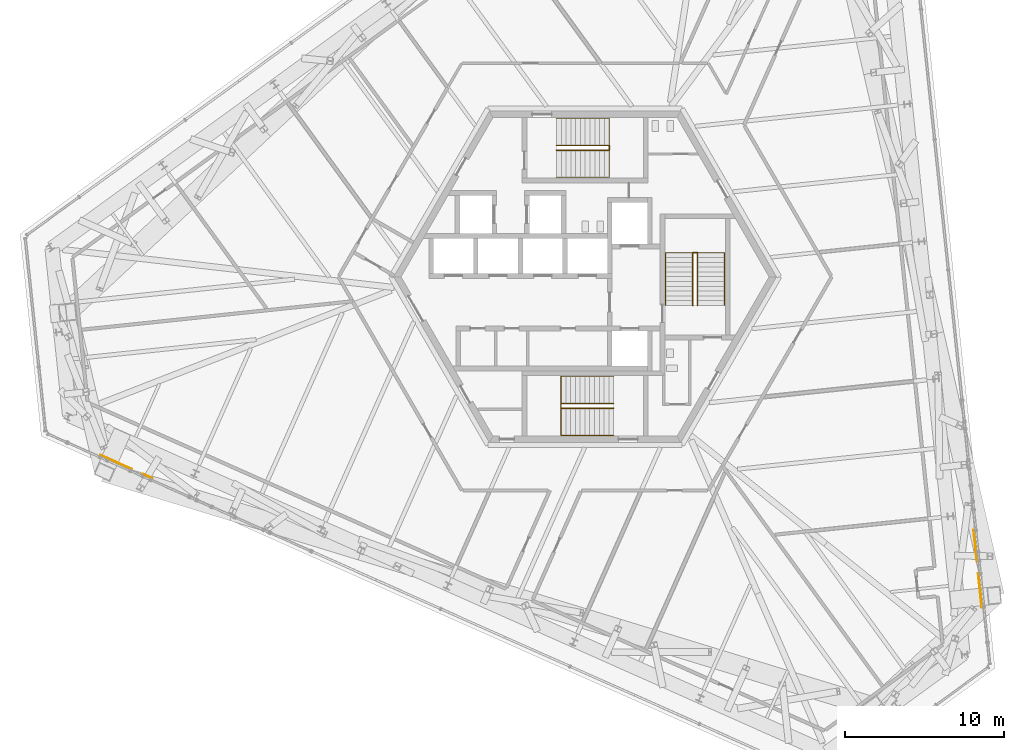
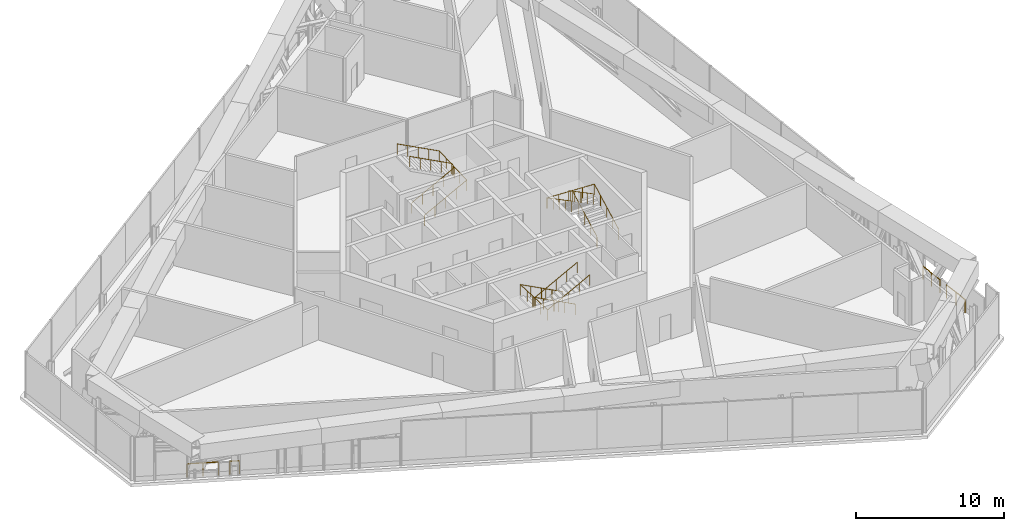
# One storey, part 28 of 30: 10 railings.
"""IFC4 building model written with IfcOpenShell, lengths in metres."""

from ifc_helpers import new_model, si_unit, direction, frame, origin, origin_2d, place, context, subcontext, project, spatial, circle, extrude, source, transform, mapped, material, type_object, element, save


model = new_model("IFC4")

# Units and contexts
model_context = context("Model", 3, precision=1e-05, world=origin(), true_north=direction((0.0, 1.0)))
body_context = subcontext(model_context, "Body", "Model", "MODEL_VIEW")
ifc_project = project(units=[si_unit("LENGTHUNIT", "METRE"), si_unit("AREAUNIT", "SQUARE_METRE"), si_unit("VOLUMEUNIT", "CUBIC_METRE"), si_unit("PLANEANGLEUNIT", "RADIAN"), si_unit("MASSUNIT", "GRAM", prefix="KILO")], contexts=[model_context])

# Site, building, storey
site_placement = place(None, origin())
site = spatial("IfcSite", under=ifc_project, at=site_placement, CompositionType="ELEMENT")
building_placement = place(site_placement, origin())
building = spatial("IfcBuilding", under=site, at=building_placement, Name="Triune Harvest Tower", CompositionType="ELEMENT")
storey_placement = place(building_placement, frame((0.0, 0.0, 94.5)))
storey = spatial("IfcBuildingStorey", under=building, at=storey_placement, Name="L23", CompositionType="ELEMENT", Elevation=94.5)

# Railings
ifc_material_1 = material(Name="Glass", Category="glass")
railing_type_1 = type_object("IfcRailingType", Name="GD-3 facade guard 1100", PredefinedType="GUARDRAIL", material=ifc_material_1)
railing_1_placement = place(storey_placement, frame((24.875732421875, -20.719482421875, 0.0)))
element("IfcRailing", 1, at=railing_1_placement, inside=storey, type_object=railing_type_1, Name="Facade guard B2-F1 L23.1.1", PredefinedType="GUARDRAIL", context=body_context, shape_type="SweptSolid", body=[
    extrude(circle(Radius=0.02392578125, at=origin_2d()), frame((0.0, 0.0, 1.076171875), z_axis=(-0.104524229431, 0.994522340353, 0.0), x_axis=(-0.994522340353, -0.104524229431, 0.0)), (0.0, 0.0, 1.0), 2.13720703125),
    extrude(circle(Radius=0.02099609375, at=origin_2d()), origin(), (0.0, 0.0, 1.0), 1.052001953125),
    extrude(circle(Radius=0.02099609375, at=origin_2d()), frame((-0.11181640625, 1.062744140625, 0.0)), (0.0, 0.0, 1.0), 1.052001953125),
    extrude(circle(Radius=0.02099609375, at=origin_2d()), frame((-0.223388671875, 2.12548828125, 0.0)), (0.0, 0.0, 1.0), 1.052001953125),
])
railing_2_placement = place(storey_placement, frame((24.5732421875, -17.8408203125, 0.0)))
element("IfcRailing", 2, at=railing_2_placement, inside=storey, type_object=railing_type_1, Name="Facade guard B2-F1 L23.1.2", PredefinedType="GUARDRAIL", context=body_context, shape_type="SweptSolid", body=[
    extrude(circle(Radius=0.02392578125, at=origin_2d()), frame((0.0, 0.0, 1.076171875), z_axis=(-0.104510539239, 0.994523779096, 0.0), x_axis=(-0.994523779096, -0.104510539239, 0.0)), (0.0, 0.0, 1.0), 1.96923828125),
    extrude(circle(Radius=0.02099609375, at=origin_2d()), origin(), (0.0, 0.0, 1.0), 1.052001953125),
    extrude(circle(Radius=0.02099609375, at=origin_2d()), frame((-0.10302734375, 0.979248046875, 0.0)), (0.0, 0.0, 1.0), 1.052001953125),
    extrude(circle(Radius=0.02099609375, at=origin_2d()), frame((-0.205810546875, 1.95849609375, 0.0)), (0.0, 0.0, 1.0), 1.052001953125),
])
railing_3_placement = place(storey_placement, frame((-30.381591796875, -11.183349609375, 0.0)))
element("IfcRailing", 3, at=railing_3_placement, inside=storey, type_object=railing_type_1, Name="Facade guard B2-F5 L23.1.1", PredefinedType="GUARDRAIL", context=body_context, shape_type="SweptSolid", body=[
    extrude(circle(Radius=0.02392578125, at=origin_2d()), frame((0.0, 0.0, 1.076171875), z_axis=(0.913566417064, -0.40668956418, 0.0), x_axis=(0.40668956418, 0.913566417064, 0.0)), (0.0, 0.0, 1.0), 2.13720703125),
    extrude(circle(Radius=0.02099609375, at=origin_2d()), origin(), (0.0, 0.0, 1.0), 1.052001953125),
    extrude(circle(Radius=0.02099609375, at=origin_2d()), frame((0.97607421875, -0.4345703125, 0.0)), (0.0, 0.0, 1.0), 1.052001953125),
    extrude(circle(Radius=0.02099609375, at=origin_2d()), frame((1.952392578125, -0.869140625, 0.0)), (0.0, 0.0, 1.0), 1.052001953125),
])
railing_4_placement = place(storey_placement, frame((-27.7373046875, -12.360595703125, 0.0)))
element("IfcRailing", 4, at=railing_4_placement, inside=storey, type_object=railing_type_1, Name="Facade guard B2-F5 L23.1.2", PredefinedType="GUARDRAIL", context=body_context, shape_type="SweptSolid", body=[
    extrude(circle(Radius=0.02392578125, at=origin_2d()), frame((0.0, 0.0, 1.076171875), z_axis=(0.913502892034, -0.406832233538, 0.0), x_axis=(0.406832233538, 0.913502892034, 0.0)), (0.0, 0.0, 1.0), 0.65283203125),
    extrude(circle(Radius=0.02099609375, at=origin_2d()), origin(), (0.0, 0.0, 1.0), 1.052001953125),
    extrude(circle(Radius=0.02099609375, at=origin_2d()), frame((0.596435546875, -0.265625, 0.0)), (0.0, 0.0, 1.0), 1.052001953125),
])
ifc_material_2 = material(Name="Stainless steel AISI 316", Category="steel")
railing_type_2 = type_object("IfcRailingType", Name="Stair handrail", PredefinedType="HANDRAIL", material=ifc_material_2)
shared_shape_1 = source(origin(), body_context, "Body", "SweptSolid", [
    extrude(circle(Radius=0.02392578125, at=origin_2d()), frame((0.0, 0.0, 0.8759765625), z_axis=(0.884384002621, 0.0, 0.466760041037), x_axis=(0.0, 1.0, 0.0)), (0.0, 0.0, 1.0), 3.7314453125),
    extrude(circle(Radius=0.02392578125, at=origin_2d()), frame((3.300048828125, 0.0, 2.61767578125), z_axis=(0.0, 0.999084305352, 0.0427849366), x_axis=(-1.0, 0.0, 0.0)), (0.0, 0.0, 1.0), 3.703369140625),
    extrude(circle(Radius=0.02392578125, at=origin_2d()), frame((3.300048828125, 3.699951171875, 2.77587890625), z_axis=(-0.884384002621, 0.0, 0.466760041037), x_axis=(0.0, -1.0, 0.0)), (0.0, 0.0, 1.0), 3.7314453125),
    extrude(circle(Radius=0.02099609375, at=origin_2d()), origin(), (0.0, 0.0, 1.0), 0.851806640625),
    extrude(circle(Radius=0.02099609375, at=origin_2d()), frame((0.824951171875, 0.0, 0.435546875)), (0.0, 0.0, 1.0), 0.851806640625),
    extrude(circle(Radius=0.02099609375, at=origin_2d()), frame((1.64990234375, 0.0, 0.870849609375)), (0.0, 0.0, 1.0), 0.851806640625),
    extrude(circle(Radius=0.02099609375, at=origin_2d()), frame((2.47509765625, 0.0, 1.30615234375)), (0.0, 0.0, 1.0), 0.851806640625),
    extrude(circle(Radius=0.02099609375, at=origin_2d()), frame((3.300048828125, 0.0, 1.74169921875)), (0.0, 0.0, 1.0), 0.851806640625),
    extrude(circle(Radius=0.02099609375, at=origin_2d()), frame((3.300048828125, 0.925048828125, 1.78125)), (0.0, 0.0, 1.0), 0.851806640625),
    extrude(circle(Radius=0.02099609375, at=origin_2d()), frame((3.300048828125, 1.85009765625, 1.82080078125)), (0.0, 0.0, 1.0), 0.851806640625),
    extrude(circle(Radius=0.02099609375, at=origin_2d()), frame((3.300048828125, 2.77490234375, 1.860595703125)), (0.0, 0.0, 1.0), 0.851806640625),
    extrude(circle(Radius=0.02099609375, at=origin_2d()), frame((3.300048828125, 3.699951171875, 1.900146484375)), (0.0, 0.0, 1.0), 0.851806640625),
    extrude(circle(Radius=0.02099609375, at=origin_2d()), frame((2.47509765625, 3.699951171875, 2.33544921875)), (0.0, 0.0, 1.0), 0.851806640625),
    extrude(circle(Radius=0.02099609375, at=origin_2d()), frame((1.64990234375, 3.699951171875, 2.77099609375)), (0.0, 0.0, 1.0), 0.851806640625),
    extrude(circle(Radius=0.02099609375, at=origin_2d()), frame((0.824951171875, 3.699951171875, 3.20654296875)), (0.0, 0.0, 1.0), 0.851806640625),
    extrude(circle(Radius=0.02099609375, at=origin_2d()), frame((0.0, 3.699951171875, 3.641845703125)), (0.0, 0.0, 1.0), 0.851806640625),
])
railing_5_placement = place(storey_placement, frame((-1.7900390625, 6.239990234375, 0.158203125)))
element("IfcRailing", 5, at=railing_5_placement, inside=storey, type_object=railing_type_2, Name="Exit stair north wall handrail", PredefinedType="HANDRAIL", context=body_context, shape_type="MappedRepresentation", body=[
    mapped(shared_shape_1, transform((0.0, 0.0, 0.0), scale=1.0)),
])
shared_shape_2 = source(origin(), body_context, "Body", "SweptSolid", [
    extrude(circle(Radius=0.02392578125, at=origin_2d()), frame((0.0, 0.0, 0.8759765625), z_axis=(0.884384002621, 0.0, 0.466760041037), x_axis=(0.0, 1.0, 0.0)), (0.0, 0.0, 1.0), 3.7314453125),
    extrude(circle(Radius=0.02392578125, at=origin_2d()), frame((3.300048828125, 0.0, 2.61767578125), z_axis=(0.0, 0.884277476085, 0.46696182423), x_axis=(-1.0, 0.0, 0.0)), (0.0, 0.0, 1.0), 0.33935546875),
    extrude(circle(Radius=0.02392578125, at=origin_2d()), frame((3.300048828125, 0.300048828125, 2.77587890625), z_axis=(-0.884384002621, 0.0, 0.466760041037), x_axis=(0.0, -1.0, 0.0)), (0.0, 0.0, 1.0), 3.7314453125),
    extrude(circle(Radius=0.02099609375, at=origin_2d()), origin(), (0.0, 0.0, 1.0), 0.851806640625),
    extrude(circle(Radius=0.02099609375, at=origin_2d()), frame((0.824951171875, 0.0, 0.435546875)), (0.0, 0.0, 1.0), 0.851806640625),
    extrude(circle(Radius=0.02099609375, at=origin_2d()), frame((1.64990234375, 0.0, 0.870849609375)), (0.0, 0.0, 1.0), 0.851806640625),
    extrude(circle(Radius=0.02099609375, at=origin_2d()), frame((2.47509765625, 0.0, 1.30615234375)), (0.0, 0.0, 1.0), 0.851806640625),
    extrude(circle(Radius=0.02099609375, at=origin_2d()), frame((3.300048828125, 0.0, 1.74169921875)), (0.0, 0.0, 1.0), 0.851806640625),
    extrude(circle(Radius=0.02099609375, at=origin_2d()), frame((3.300048828125, 0.300048828125, 1.900146484375)), (0.0, 0.0, 1.0), 0.851806640625),
    extrude(circle(Radius=0.02099609375, at=origin_2d()), frame((2.47509765625, 0.300048828125, 2.33544921875)), (0.0, 0.0, 1.0), 0.851806640625),
    extrude(circle(Radius=0.02099609375, at=origin_2d()), frame((1.64990234375, 0.300048828125, 2.77099609375)), (0.0, 0.0, 1.0), 0.851806640625),
    extrude(circle(Radius=0.02099609375, at=origin_2d()), frame((0.824951171875, 0.300048828125, 3.20654296875)), (0.0, 0.0, 1.0), 0.851806640625),
    extrude(circle(Radius=0.02099609375, at=origin_2d()), frame((0.0, 0.300048828125, 3.641845703125)), (0.0, 0.0, 1.0), 0.851806640625),
])
railing_6_placement = place(storey_placement, frame((-1.7900390625, 7.93994140625, 0.158203125)))
element("IfcRailing", 6, at=railing_6_placement, inside=storey, type_object=railing_type_2, Name="Exit stair north centre handrail", PredefinedType="HANDRAIL", context=body_context, shape_type="MappedRepresentation", body=[
    mapped(shared_shape_2, transform((0.0, 0.0, 0.0), scale=1.0)),
])
shared_shape_3 = source(origin(), body_context, "Body", "SweptSolid", [
    extrude(circle(Radius=0.02392578125, at=origin_2d()), frame((0.0, 0.0, 0.8759765625), z_axis=(-0.884384002621, 0.0, 0.466760041037), x_axis=(0.0, -1.0, 0.0)), (0.0, 0.0, 1.0), 3.7314453125),
    extrude(circle(Radius=0.02392578125, at=origin_2d()), frame((-3.300048828125, 0.0, 2.61767578125), z_axis=(0.0, -0.999084305352, 0.0427849366), x_axis=(1.0, 0.0, 0.0)), (0.0, 0.0, 1.0), 3.703369140625),
    extrude(circle(Radius=0.02392578125, at=origin_2d()), frame((-3.300048828125, -3.699951171875, 2.77587890625), z_axis=(0.884384002621, 0.0, 0.466760041037), x_axis=(0.0, 1.0, 0.0)), (0.0, 0.0, 1.0), 3.7314453125),
    extrude(circle(Radius=0.02099609375, at=origin_2d()), origin(), (0.0, 0.0, 1.0), 0.851806640625),
    extrude(circle(Radius=0.02099609375, at=origin_2d()), frame((-0.824951171875, 0.0, 0.435546875)), (0.0, 0.0, 1.0), 0.851806640625),
    extrude(circle(Radius=0.02099609375, at=origin_2d()), frame((-1.64990234375, 0.0, 0.870849609375)), (0.0, 0.0, 1.0), 0.851806640625),
    extrude(circle(Radius=0.02099609375, at=origin_2d()), frame((-2.47509765625, 0.0, 1.30615234375)), (0.0, 0.0, 1.0), 0.851806640625),
    extrude(circle(Radius=0.02099609375, at=origin_2d()), frame((-3.300048828125, 0.0, 1.74169921875)), (0.0, 0.0, 1.0), 0.851806640625),
    extrude(circle(Radius=0.02099609375, at=origin_2d()), frame((-3.300048828125, -0.925048828125, 1.78125)), (0.0, 0.0, 1.0), 0.851806640625),
    extrude(circle(Radius=0.02099609375, at=origin_2d()), frame((-3.300048828125, -1.85009765625, 1.82080078125)), (0.0, 0.0, 1.0), 0.851806640625),
    extrude(circle(Radius=0.02099609375, at=origin_2d()), frame((-3.300048828125, -2.77490234375, 1.860595703125)), (0.0, 0.0, 1.0), 0.851806640625),
    extrude(circle(Radius=0.02099609375, at=origin_2d()), frame((-3.300048828125, -3.699951171875, 1.900146484375)), (0.0, 0.0, 1.0), 0.851806640625),
    extrude(circle(Radius=0.02099609375, at=origin_2d()), frame((-2.47509765625, -3.699951171875, 2.33544921875)), (0.0, 0.0, 1.0), 0.851806640625),
    extrude(circle(Radius=0.02099609375, at=origin_2d()), frame((-1.64990234375, -3.699951171875, 2.77099609375)), (0.0, 0.0, 1.0), 0.851806640625),
    extrude(circle(Radius=0.02099609375, at=origin_2d()), frame((-0.824951171875, -3.699951171875, 3.20654296875)), (0.0, 0.0, 1.0), 0.851806640625),
    extrude(circle(Radius=0.02099609375, at=origin_2d()), frame((0.0, -3.699951171875, 3.641845703125)), (0.0, 0.0, 1.0), 0.851806640625),
])
railing_7_placement = place(storey_placement, frame((1.7900390625, -6.239990234375, 0.158203125)))
element("IfcRailing", 7, at=railing_7_placement, inside=storey, type_object=railing_type_2, Name="Exit stair south wall handrail", PredefinedType="HANDRAIL", context=body_context, shape_type="MappedRepresentation", body=[
    mapped(shared_shape_3, transform((0.0, 0.0, 0.0), scale=1.0)),
])
shared_shape_4 = source(origin(), body_context, "Body", "SweptSolid", [
    extrude(circle(Radius=0.02392578125, at=origin_2d()), frame((0.0, 0.0, 0.8759765625), z_axis=(-0.884384002621, 0.0, 0.466760041037), x_axis=(0.0, -1.0, 0.0)), (0.0, 0.0, 1.0), 3.7314453125),
    extrude(circle(Radius=0.02392578125, at=origin_2d()), frame((-3.300048828125, 0.0, 2.61767578125), z_axis=(0.0, -0.884277476085, 0.46696182423), x_axis=(1.0, 0.0, 0.0)), (0.0, 0.0, 1.0), 0.33935546875),
    extrude(circle(Radius=0.02392578125, at=origin_2d()), frame((-3.300048828125, -0.300048828125, 2.77587890625), z_axis=(0.884384002621, 0.0, 0.466760041037), x_axis=(0.0, 1.0, 0.0)), (0.0, 0.0, 1.0), 3.7314453125),
    extrude(circle(Radius=0.02099609375, at=origin_2d()), origin(), (0.0, 0.0, 1.0), 0.851806640625),
    extrude(circle(Radius=0.02099609375, at=origin_2d()), frame((-0.824951171875, 0.0, 0.435546875)), (0.0, 0.0, 1.0), 0.851806640625),
    extrude(circle(Radius=0.02099609375, at=origin_2d()), frame((-1.64990234375, 0.0, 0.870849609375)), (0.0, 0.0, 1.0), 0.851806640625),
    extrude(circle(Radius=0.02099609375, at=origin_2d()), frame((-2.47509765625, 0.0, 1.30615234375)), (0.0, 0.0, 1.0), 0.851806640625),
    extrude(circle(Radius=0.02099609375, at=origin_2d()), frame((-3.300048828125, 0.0, 1.74169921875)), (0.0, 0.0, 1.0), 0.851806640625),
    extrude(circle(Radius=0.02099609375, at=origin_2d()), frame((-3.300048828125, -0.300048828125, 1.900146484375)), (0.0, 0.0, 1.0), 0.851806640625),
    extrude(circle(Radius=0.02099609375, at=origin_2d()), frame((-2.47509765625, -0.300048828125, 2.33544921875)), (0.0, 0.0, 1.0), 0.851806640625),
    extrude(circle(Radius=0.02099609375, at=origin_2d()), frame((-1.64990234375, -0.300048828125, 2.77099609375)), (0.0, 0.0, 1.0), 0.851806640625),
    extrude(circle(Radius=0.02099609375, at=origin_2d()), frame((-0.824951171875, -0.300048828125, 3.20654296875)), (0.0, 0.0, 1.0), 0.851806640625),
    extrude(circle(Radius=0.02099609375, at=origin_2d()), frame((0.0, -0.300048828125, 3.641845703125)), (0.0, 0.0, 1.0), 0.851806640625),
])
railing_8_placement = place(storey_placement, frame((1.7900390625, -7.93994140625, 0.158203125)))
element("IfcRailing", 8, at=railing_8_placement, inside=storey, type_object=railing_type_2, Name="Exit stair south centre handrail", PredefinedType="HANDRAIL", context=body_context, shape_type="MappedRepresentation", body=[
    mapped(shared_shape_4, transform((0.0, 0.0, 0.0), scale=1.0)),
])
shared_shape_5 = source(origin(), body_context, "Body", "SweptSolid", [
    extrude(circle(Radius=0.02392578125, at=origin_2d()), frame((0.0, 0.0, 0.8759765625), z_axis=(0.0, 0.884384002621, 0.466760041037), x_axis=(-1.0, 0.0, 0.0)), (0.0, 0.0, 1.0), 3.7314453125),
    extrude(circle(Radius=0.02392578125, at=origin_2d()), frame((0.0, 3.300048828125, 2.61767578125), z_axis=(-0.999084305352, 0.0, 0.0427849366), x_axis=(0.0, -1.0, 0.0)), (0.0, 0.0, 1.0), 3.703369140625),
    extrude(circle(Radius=0.02392578125, at=origin_2d()), frame((-3.699951171875, 3.300048828125, 2.77587890625), z_axis=(0.0, -0.884384002621, 0.466760041037), x_axis=(1.0, 0.0, 0.0)), (0.0, 0.0, 1.0), 3.7314453125),
    extrude(circle(Radius=0.02099609375, at=origin_2d()), origin(), (0.0, 0.0, 1.0), 0.851806640625),
    extrude(circle(Radius=0.02099609375, at=origin_2d()), frame((0.0, 0.824951171875, 0.435546875)), (0.0, 0.0, 1.0), 0.851806640625),
    extrude(circle(Radius=0.02099609375, at=origin_2d()), frame((0.0, 1.64990234375, 0.870849609375)), (0.0, 0.0, 1.0), 0.851806640625),
    extrude(circle(Radius=0.02099609375, at=origin_2d()), frame((0.0, 2.47509765625, 1.30615234375)), (0.0, 0.0, 1.0), 0.851806640625),
    extrude(circle(Radius=0.02099609375, at=origin_2d()), frame((0.0, 3.300048828125, 1.74169921875)), (0.0, 0.0, 1.0), 0.851806640625),
    extrude(circle(Radius=0.02099609375, at=origin_2d()), frame((-0.925048828125, 3.300048828125, 1.78125)), (0.0, 0.0, 1.0), 0.851806640625),
    extrude(circle(Radius=0.02099609375, at=origin_2d()), frame((-1.85009765625, 3.300048828125, 1.82080078125)), (0.0, 0.0, 1.0), 0.851806640625),
    extrude(circle(Radius=0.02099609375, at=origin_2d()), frame((-2.77490234375, 3.300048828125, 1.860595703125)), (0.0, 0.0, 1.0), 0.851806640625),
    extrude(circle(Radius=0.02099609375, at=origin_2d()), frame((-3.699951171875, 3.300048828125, 1.900146484375)), (0.0, 0.0, 1.0), 0.851806640625),
    extrude(circle(Radius=0.02099609375, at=origin_2d()), frame((-3.699951171875, 2.47509765625, 2.33544921875)), (0.0, 0.0, 1.0), 0.851806640625),
    extrude(circle(Radius=0.02099609375, at=origin_2d()), frame((-3.699951171875, 1.64990234375, 2.77099609375)), (0.0, 0.0, 1.0), 0.851806640625),
    extrude(circle(Radius=0.02099609375, at=origin_2d()), frame((-3.699951171875, 0.824951171875, 3.20654296875)), (0.0, 0.0, 1.0), 0.851806640625),
    extrude(circle(Radius=0.02099609375, at=origin_2d()), frame((-3.699951171875, 0.0, 3.641845703125)), (0.0, 0.0, 1.0), 0.851806640625),
])
railing_9_placement = place(storey_placement, frame((8.75, -1.7900390625, 0.158203125)))
element("IfcRailing", 9, at=railing_9_placement, inside=storey, type_object=railing_type_2, Name="Exit stair east wall handrail", PredefinedType="HANDRAIL", context=body_context, shape_type="MappedRepresentation", body=[
    mapped(shared_shape_5, transform((0.0, 0.0, 0.0), scale=1.0)),
])
shared_shape_6 = source(origin(), body_context, "Body", "SweptSolid", [
    extrude(circle(Radius=0.02392578125, at=origin_2d()), frame((0.0, 0.0, 0.8759765625), z_axis=(0.0, 0.884384002621, 0.466760041037), x_axis=(-1.0, 0.0, 0.0)), (0.0, 0.0, 1.0), 3.7314453125),
    extrude(circle(Radius=0.02392578125, at=origin_2d()), frame((0.0, 3.300048828125, 2.61767578125), z_axis=(-0.884277476085, 0.0, 0.46696182423), x_axis=(0.0, -1.0, 0.0)), (0.0, 0.0, 1.0), 0.33935546875),
    extrude(circle(Radius=0.02392578125, at=origin_2d()), frame((-0.300048828125, 3.300048828125, 2.77587890625), z_axis=(0.0, -0.884384002621, 0.466760041037), x_axis=(1.0, 0.0, 0.0)), (0.0, 0.0, 1.0), 3.7314453125),
    extrude(circle(Radius=0.02099609375, at=origin_2d()), origin(), (0.0, 0.0, 1.0), 0.851806640625),
    extrude(circle(Radius=0.02099609375, at=origin_2d()), frame((0.0, 0.824951171875, 0.435546875)), (0.0, 0.0, 1.0), 0.851806640625),
    extrude(circle(Radius=0.02099609375, at=origin_2d()), frame((0.0, 1.64990234375, 0.870849609375)), (0.0, 0.0, 1.0), 0.851806640625),
    extrude(circle(Radius=0.02099609375, at=origin_2d()), frame((0.0, 2.47509765625, 1.30615234375)), (0.0, 0.0, 1.0), 0.851806640625),
    extrude(circle(Radius=0.02099609375, at=origin_2d()), frame((0.0, 3.300048828125, 1.74169921875)), (0.0, 0.0, 1.0), 0.851806640625),
    extrude(circle(Radius=0.02099609375, at=origin_2d()), frame((-0.300048828125, 3.300048828125, 1.900146484375)), (0.0, 0.0, 1.0), 0.851806640625),
    extrude(circle(Radius=0.02099609375, at=origin_2d()), frame((-0.300048828125, 2.47509765625, 2.33544921875)), (0.0, 0.0, 1.0), 0.851806640625),
    extrude(circle(Radius=0.02099609375, at=origin_2d()), frame((-0.300048828125, 1.64990234375, 2.77099609375)), (0.0, 0.0, 1.0), 0.851806640625),
    extrude(circle(Radius=0.02099609375, at=origin_2d()), frame((-0.300048828125, 0.824951171875, 3.20654296875)), (0.0, 0.0, 1.0), 0.851806640625),
    extrude(circle(Radius=0.02099609375, at=origin_2d()), frame((-0.300048828125, 0.0, 3.641845703125)), (0.0, 0.0, 1.0), 0.851806640625),
])
railing_10_placement = place(storey_placement, frame((7.050048828125, -1.7900390625, 0.158203125)))
element("IfcRailing", 10, at=railing_10_placement, inside=storey, type_object=railing_type_2, Name="Exit stair east centre handrail", PredefinedType="HANDRAIL", context=body_context, shape_type="MappedRepresentation", body=[
    mapped(shared_shape_6, transform((0.0, 0.0, 0.0), scale=1.0)),
])

save(model, "model.ifc")
